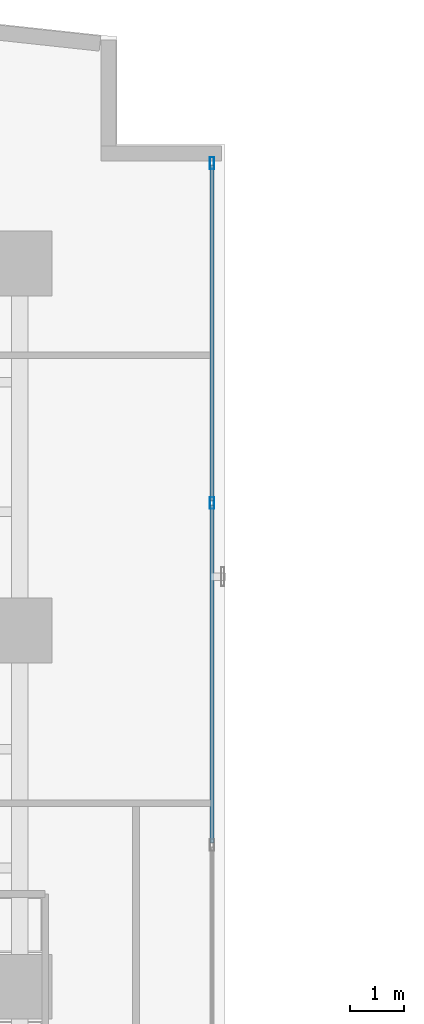
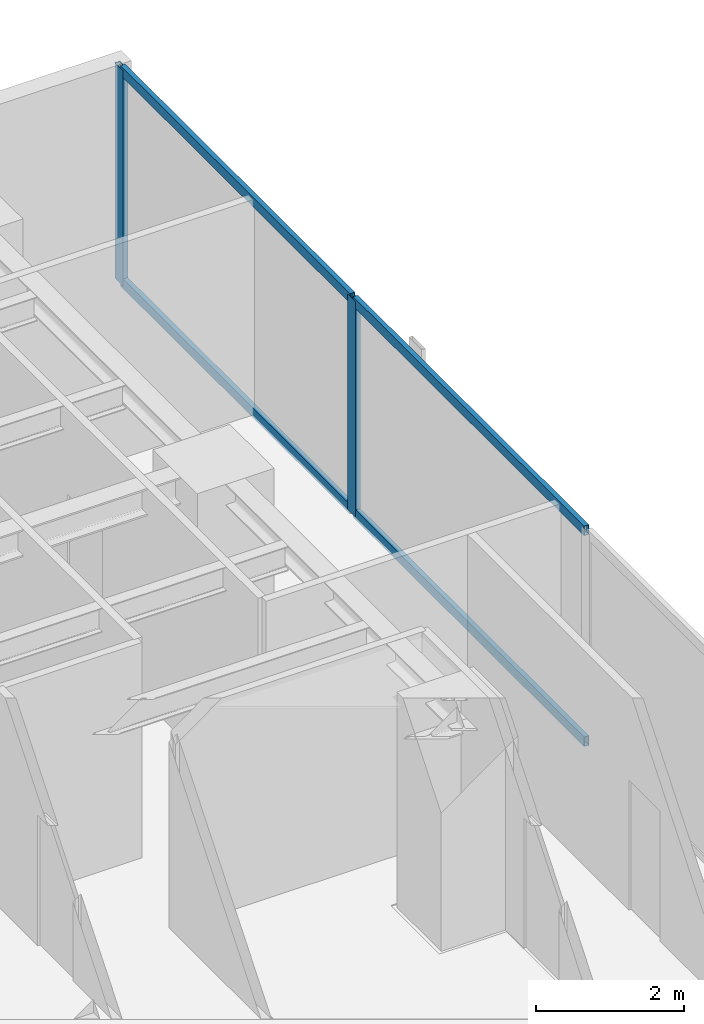
# One storey, part 17 of 24: 6 members, 1 element without a shape of its own.
"""IFC4 building model written with IfcOpenShell, lengths in metres."""

import ifcopenshell
import ifcopenshell.guid

model = None  # the IFC model being written
_history = None  # IfcOwnerHistory: only IFC2X3 demands one
_inside = {}  # id of a spatial element -> (the spatial element, [elements in it])
_under = {}  # id of a project, library or spatial element -> (it, [spatial elements below it])
_declared = {}  # id of a project -> (the project, [libraries it declares])
_typed = {}  # id of a type object -> (the type object, [elements of that type])
_made_of = {}  # id of a material, layer set ... -> (it, [elements and type objects made of it])


def new_model(schema):
    """Start an empty IFC model of exactly this schema.

    Asked for "IFC4X3", IfcOpenShell would pick the latest addendum, in which some entities
    have other attributes; the version numbers below select the first issue.
    IFC2X3 requires an IfcOwnerHistory on every rooted entity: one is made here for all.
    """
    global model, _history
    if schema == "IFC4X3":
        model = ifcopenshell.file(schema_version=(4, 3, 0, 0))
    else:
        model = ifcopenshell.file(schema=schema)
    _inside.clear()
    _under.clear()
    _declared.clear()
    _typed.clear()
    _made_of.clear()
    _history = None
    if model.schema == "IFC2X3":
        org = make("IfcOrganization", Name="unknown")
        user = make(
            "IfcPersonAndOrganization",
            ThePerson=make("IfcPerson", FamilyName="unknown"),
            TheOrganization=org,
        )
        app = make(
            "IfcApplication",
            ApplicationDeveloper=org,
            Version="unknown",
            ApplicationFullName="unknown",
            ApplicationIdentifier="unknown",
        )
        _history = make(
            "IfcOwnerHistory",
            OwningUser=user,
            OwningApplication=app,
            ChangeAction="ADDED",
            CreationDate=0,
        )
    return model


def make(cls, **values):
    """One entity of the class cls with the attributes given. An attribute that is None is left unset."""
    return model.create_entity(
        cls, **{name: value for name, value in values.items() if value is not None}
    )


def rooted(cls, **values):
    """An entity with a GlobalId (a new one), such as an element, a storey or a relation."""
    return make(cls, GlobalId=ifcopenshell.guid.new(), OwnerHistory=_history, **values)


def si_unit(unit_type, name, prefix=None):
    """IfcSIUnit, for example si_unit("LENGTHUNIT", "METRE", prefix="MILLI")."""
    return make("IfcSIUnit", UnitType=unit_type, Prefix=prefix, Name=name)


def assignment(units):
    """IfcUnitAssignment: the units of a project."""
    return None if units is None else make("IfcUnitAssignment", Units=units)


def point(xyz):
    """IfcCartesianPoint."""
    return None if xyz is None else make("IfcCartesianPoint", Coordinates=xyz)


def direction(xyz):
    """IfcDirection."""
    return None if xyz is None else make("IfcDirection", DirectionRatios=xyz)


def frame(location, z_axis=None, x_axis=None):
    """IfcAxis2Placement3D, a coordinate frame: its origin and axes. An axis left out is left unset."""
    return make(
        "IfcAxis2Placement3D",
        Location=point(location),
        Axis=direction(z_axis),
        RefDirection=direction(x_axis),
    )


def frame_2d(location, x_axis=None):
    """IfcAxis2Placement2D, a coordinate frame in the plane: its origin and x axis."""
    return make(
        "IfcAxis2Placement2D", Location=point(location), RefDirection=direction(x_axis)
    )


def origin():
    """The frame at (0, 0, 0) with its axes left unset."""
    return frame((0.0, 0.0, 0.0))


def origin_with_axes():
    """The frame at (0, 0, 0) with the z axis (0, 0, 1) and the x axis (1, 0, 0) written out."""
    return frame((0.0, 0.0, 0.0), z_axis=(0.0, 0.0, 1.0), x_axis=(1.0, 0.0, 0.0))


def origin_2d():
    """The frame at (0, 0) in the plane with its x axis left unset."""
    return frame_2d((0.0, 0.0))


def place(relative_to, where):
    """IfcLocalPlacement: puts the frame where relative to a parent placement (None: the world)."""
    return make(
        "IfcLocalPlacement", PlacementRelTo=relative_to, RelativePlacement=where
    )


def context(
    kind, dimensions, precision=None, world=None, true_north=None, identifier=None
):
    """IfcGeometricRepresentationContext, for example the 3D "Model" context."""
    return make(
        "IfcGeometricRepresentationContext",
        ContextIdentifier=identifier,
        ContextType=kind,
        CoordinateSpaceDimension=dimensions,
        Precision=precision,
        WorldCoordinateSystem=world,
        TrueNorth=true_north,
    )


def subcontext(parent, identifier, kind, view, scale=None):
    """IfcGeometricRepresentationSubContext, for example "Body" below "Model"."""
    return make(
        "IfcGeometricRepresentationSubContext",
        ContextIdentifier=identifier,
        ContextType=kind,
        ParentContext=parent,
        TargetScale=scale,
        TargetView=view,
    )


def project(units=None, contexts=None):
    """IfcProject with its units and contexts."""
    return rooted(
        "IfcProject",
        Name="project",
        RepresentationContexts=contexts,
        UnitsInContext=assignment(units),
    )


def spatial(cls, under=None, at=None, **own):
    """A site, building, storey or space (cls), placed at a placement, below another one or the project."""
    s = rooted(cls, ObjectPlacement=at, **own)
    if under is not None:
        _under.setdefault(under.id(), (under, []))[1].append(s)
    return s


def profile(cls, at=None, kind="AREA", **sizes):
    """A parametric profile (cls). Its sizes go by their IFC names, for example OverallWidth=200.0."""
    return make(cls, ProfileType=kind, Position=at, **sizes)


def hollow_rectangle(**sizes):
    """IfcRectangleHollowProfileDef."""
    return profile("IfcRectangleHollowProfileDef", **sizes)


def extrude(swept, where, along, depth):
    """IfcExtrudedAreaSolid: the profile swept, set in the frame where, extruded along a direction by depth."""
    return make(
        "IfcExtrudedAreaSolid",
        SweptArea=swept,
        Position=where,
        ExtrudedDirection=direction(along),
        Depth=depth,
    )


def shape(context_of_items, identifier, shape_type, items):
    """IfcShapeRepresentation: the items that make up one representation, for example the "Body"."""
    return make(
        "IfcShapeRepresentation",
        ContextOfItems=context_of_items,
        RepresentationIdentifier=identifier,
        RepresentationType=shape_type,
        Items=items,
    )


def source(mapping_origin, context_of_items, identifier, shape_type, items):
    """IfcRepresentationMap: a shape defined once, which mapped items show again and again."""
    return make(
        "IfcRepresentationMap",
        MappingOrigin=mapping_origin,
        MappedRepresentation=shape(context_of_items, identifier, shape_type, items),
    )


def transform(
    local_origin,
    x_axis=None,
    y_axis=None,
    z_axis=None,
    scale=None,
    scale2=None,
    scale3=None,
    uniform=True,
):
    """IfcCartesianTransformationOperator3D, or its non-uniform kind. x_axis, y_axis, z_axis: its Axis1, 2, 3."""
    if uniform:
        return make(
            "IfcCartesianTransformationOperator3D",
            Axis1=direction(x_axis),
            Axis2=direction(y_axis),
            LocalOrigin=point(local_origin),
            Scale=scale,
            Axis3=direction(z_axis),
        )
    return make(
        "IfcCartesianTransformationOperator3DnonUniform",
        Axis1=direction(x_axis),
        Axis2=direction(y_axis),
        LocalOrigin=point(local_origin),
        Scale=scale,
        Axis3=direction(z_axis),
        Scale2=scale2,
        Scale3=scale3,
    )


def mapped(mapping_source, mapping_target):
    """IfcMappedItem: shows the shape of a source again, moved by a transform."""
    return make(
        "IfcMappedItem", MappingSource=mapping_source, MappingTarget=mapping_target
    )


def material(Name=None, Category=None):
    """IfcMaterial."""
    return make("IfcMaterial", Name=Name, Category=Category)


def layer(
    of_material, thickness, ventilated=None, Name=None, Category=None, Priority=None
):
    """IfcMaterialLayer: one layer of a wall or slab, of a material (None: an air gap)."""
    return make(
        "IfcMaterialLayer",
        Material=of_material,
        LayerThickness=thickness,
        IsVentilated=ventilated,
        Name=Name,
        Category=Category,
        Priority=Priority,
    )


def layer_set(layers, Name=None):
    """IfcMaterialLayerSet."""
    return make("IfcMaterialLayerSet", MaterialLayers=layers, LayerSetName=Name)


def material_profile(
    of_material, cross_section, Name=None, Category=None, Priority=None
):
    """IfcMaterialProfile: a cross section and its material."""
    return make(
        "IfcMaterialProfile",
        Name=Name,
        Material=of_material,
        Profile=cross_section,
        Priority=Priority,
        Category=Category,
    )


def profile_set(profiles, Name=None, composite=None):
    """IfcMaterialProfileSet."""
    return make(
        "IfcMaterialProfileSet",
        Name=Name,
        MaterialProfiles=profiles,
        CompositeProfile=composite,
    )


def made_of(thing, what):
    """Note that an element or type object is made of a material, layer set ...; save() writes the relation."""
    if what is not None:
        _made_of.setdefault(what.id(), (what, []))[1].append(thing)
    return thing


def type_object(cls, material=None, **own):
    """A type object (cls), such as IfcWallType, which elements share."""
    return made_of(rooted(cls, **own), material)


def element(
    cls,
    number,
    at=None,
    inside=None,
    cuts=None,
    type_object=None,
    material=None,
    context=None,
    identifier="Body",
    shape_type=None,
    held_by="IfcProductDefinitionShape",
    body=None,
    shapes=None,
    **own,
):
    """One element of the class cls, such as IfcWall. Its Tag is "e" and its number.

    at: its placement. inside: the storey or other place that contains it. cuts: it is an
    opening in that element (IfcRelVoidsElement). A single representation is given by context,
    identifier, shape_type and body (its items); several are given by shapes. held_by: the class
    of the entity that holds the representations. save() writes the other relations.
    """
    e = rooted(cls, Tag="e%d" % number, ObjectPlacement=at, **own)
    if body is not None:
        shapes = [shape(context, identifier, shape_type, body)]
    if shapes is not None:
        e.Representation = make(held_by, Representations=shapes)
    if inside is not None:
        _inside.setdefault(inside.id(), (inside, []))[1].append(e)
    if cuts is not None:
        rooted(
            "IfcRelVoidsElement", RelatingBuildingElement=cuts, RelatedOpeningElement=e
        )
    if type_object is not None:
        _typed.setdefault(type_object.id(), (type_object, []))[1].append(e)
    return made_of(e, material)


def aggregate(whole, parts):
    """IfcRelAggregates: a whole, such as a stair, and the parts it consists of."""
    return rooted("IfcRelAggregates", RelatingObject=whole, RelatedObjects=parts)


def save(model, path):
    """Write the relations noted so far, then the file.

    IfcRelAggregates (storeys below a building ...), IfcRelContainedInSpatialStructure (elements
    in a storey), IfcRelDefinesByType, IfcRelAssociatesMaterial and IfcRelDeclares: one each for
    every whole, place, type object, material and project.
    """
    for whole, parts in _under.values():
        aggregate(whole, parts)
    for where, things in _inside.values():
        rooted(
            "IfcRelContainedInSpatialStructure",
            RelatedElements=things,
            RelatingStructure=where,
        )
    for kind, things in _typed.values():
        rooted("IfcRelDefinesByType", RelatedObjects=things, RelatingType=kind)
    for what, things in _made_of.values():
        rooted("IfcRelAssociatesMaterial", RelatedObjects=things, RelatingMaterial=what)
    for by, libraries in _declared.values():
        rooted("IfcRelDeclares", RelatingContext=by, RelatedDefinitions=libraries)
    model.write(path)


model = new_model("IFC4")

# Units and contexts
model_context = context("Model", 3, precision=1e-05, world=origin(), true_north=direction((0.0, 1.0)))
body_context = subcontext(model_context, "Body", "Model", "MODEL_VIEW")
ifc_project = project(units=[si_unit("LENGTHUNIT", "METRE"), si_unit("AREAUNIT", "SQUARE_METRE"), si_unit("VOLUMEUNIT", "CUBIC_METRE"), si_unit("PLANEANGLEUNIT", "RADIAN"), si_unit("MASSUNIT", "GRAM", prefix="KILO")], contexts=[model_context])

# Site, building, storey
site_placement = place(None, origin())
site = spatial("IfcSite", under=ifc_project, at=site_placement, CompositionType="ELEMENT")
building_placement = place(site_placement, origin())
building = spatial("IfcBuilding", under=site, at=building_placement, Name="Kolvaren Waterfront Exchange", CompositionType="ELEMENT")
storey_placement = place(building_placement, frame((0.0, 0.0, 169.0)))
storey = spatial("IfcBuildingStorey", under=building, at=storey_placement, Name="L43", CompositionType="ELEMENT", Elevation=169.0)

# Curtain wall, members
ifc_material_1 = material(Name="Anodised bronze aluminium 6063-T6", Category="aluminium")
ifc_layer = layer(ifc_material_1, 0.219970703125, Name="Anodised bronze aluminium 6063-T6")
ifc_layer_set = layer_set([ifc_layer], Name="Anodised bronze aluminium 6063-T6")
curtain_wall_type = type_object("IfcCurtainWallType", Name="ARC-CW-SYS1", PredefinedType="USERDEFINED", material=ifc_layer_set)
curtain_wall_placement = place(storey_placement, origin())
curtain_wall = element("IfcCurtainWall", 1, at=curtain_wall_placement, inside=storey, type_object=curtain_wall_type, Name="L43 stick curtain wall CW1 (CW-L43-NE)", ObjectType="STICK CURTAIN WALL", PredefinedType="USERDEFINED")
ifc_material_2 = material(Name="Anodised aluminium 6063-T6", Category="aluminium")
ifc_material_profile_1 = material_profile(ifc_material_2, hollow_rectangle(XDim=0.080078125, YDim=0.219970703125, WallThickness=0.0048828125, at=origin_2d()), Name="ALU-MUL-220x80x5")
ifc_profile_set_1 = profile_set([ifc_material_profile_1], Name="Anodised aluminium 6063-T6")
member_type_1 = type_object("IfcMemberType", Name="ARC-CWM-220", PredefinedType="MULLION", material=ifc_profile_set_1)
shared_shape_1 = source(origin_with_axes(), body_context, "Body", "SweptSolid", [
    extrude(hollow_rectangle(XDim=0.080078125, YDim=0.219970703125, WallThickness=0.0048828125, at=origin_2d()), origin(), (0.0, 0.0, 1.0), 3.56005859375),
])
member_1_placement = place(storey_placement, frame((22.360107421875, 40.163330078125, 0.0), z_axis=(0.0, 0.0, 1.0), x_axis=(-1.0, 0.0, 0.0)))
member_1 = element("IfcMember", 2, at=member_1_placement, type_object=member_type_1, Name="CW1 mullion 3", PredefinedType="MULLION", context=body_context, shape_type="MappedRepresentation", body=[
    mapped(shared_shape_1, transform((0.0, 0.0, 0.0), x_axis=(1.0, 0.0, 0.0), y_axis=(0.0, 1.0, 0.0), z_axis=(0.0, 0.0, 1.0), scale=1.0)),
])
member_2_placement = place(storey_placement, frame((22.360107421875, 46.4599609375, 0.0), z_axis=(0.0, 0.0, 1.0), x_axis=(-1.0, 0.0, 0.0)))
member_2 = element("IfcMember", 3, at=member_2_placement, type_object=member_type_1, Name="CW1 mullion 4", PredefinedType="MULLION", context=body_context, shape_type="MappedRepresentation", body=[
    mapped(shared_shape_1, transform((0.0, 0.0, 0.0), x_axis=(1.0, 0.0, 0.0), y_axis=(0.0, 1.0, 0.0), z_axis=(0.0, 0.0, 1.0), scale=1.0)),
])
ifc_material_profile_2 = material_profile(ifc_material_2, hollow_rectangle(XDim=0.074951171875, YDim=0.159912109375, WallThickness=0.00439453125, at=origin_2d()), Name="ALU-TRN-160x75x4.5")
ifc_profile_set_2 = profile_set([ifc_material_profile_2], Name="Anodised aluminium 6063-T6")
member_type_2 = type_object("IfcMemberType", Name="ARC-CWT-160", PredefinedType="USERDEFINED", material=ifc_profile_set_2)
shared_shape_2 = source(origin_with_axes(), body_context, "Body", "SweptSolid", [
    extrude(hollow_rectangle(XDim=0.074951171875, YDim=0.159912109375, WallThickness=0.00439453125, at=origin_2d()), origin(), (0.0, 0.0, 1.0), 6.216552734375),
])
member_3_placement = place(storey_placement, frame((22.360107421875, 40.203369140625, 0.03759765625), z_axis=(0.0, 1.0, 0.0), x_axis=(-1.0, 0.0, 0.0)))
member_3 = element("IfcMember", 4, at=member_3_placement, type_object=member_type_2, Name="CW1 transom 3.1", ObjectType="TRANSOM", PredefinedType="USERDEFINED", context=body_context, shape_type="MappedRepresentation", body=[
    mapped(shared_shape_2, transform((0.0, 0.0, 0.0), x_axis=(1.0, 0.0, 0.0), y_axis=(0.0, 1.0, 0.0), z_axis=(0.0, 0.0, 1.0), scale=1.0)),
])
member_4_placement = place(storey_placement, frame((22.360107421875, 40.203369140625, 3.5224609375), z_axis=(0.0, 1.0, 0.0), x_axis=(-1.0, 0.0, 0.0)))
member_4 = element("IfcMember", 5, at=member_4_placement, type_object=member_type_2, Name="CW1 transom 3.2", ObjectType="TRANSOM", PredefinedType="USERDEFINED", context=body_context, shape_type="MappedRepresentation", body=[
    mapped(shared_shape_2, transform((0.0, 0.0, 0.0), x_axis=(1.0, 0.0, 0.0), y_axis=(0.0, 1.0, 0.0), z_axis=(0.0, 0.0, 1.0), scale=1.0)),
])
shared_shape_3 = source(origin_with_axes(), body_context, "Body", "SweptSolid", [
    extrude(hollow_rectangle(XDim=0.074951171875, YDim=0.159912109375, WallThickness=0.00439453125, at=origin_2d()), origin(), (0.0, 0.0, 1.0), 6.256591796875),
])
member_5_placement = place(storey_placement, frame((22.360107421875, 33.86669921875, 0.03759765625), z_axis=(0.0, 1.0, 0.0), x_axis=(-1.0, 0.0, 0.0)))
member_5 = element("IfcMember", 6, at=member_5_placement, type_object=member_type_2, Name="CW1 transom 2.1", ObjectType="TRANSOM", PredefinedType="USERDEFINED", context=body_context, shape_type="MappedRepresentation", body=[
    mapped(shared_shape_3, transform((0.0, 0.0, 0.0), x_axis=(1.0, 0.0, 0.0), y_axis=(0.0, 1.0, 0.0), z_axis=(0.0, 0.0, 1.0), scale=1.0)),
])
member_6_placement = place(storey_placement, frame((22.360107421875, 33.86669921875, 3.5224609375), z_axis=(0.0, 1.0, 0.0), x_axis=(-1.0, 0.0, 0.0)))
member_6 = element("IfcMember", 7, at=member_6_placement, type_object=member_type_2, Name="CW1 transom 2.2", ObjectType="TRANSOM", PredefinedType="USERDEFINED", context=body_context, shape_type="MappedRepresentation", body=[
    mapped(shared_shape_3, transform((0.0, 0.0, 0.0), x_axis=(1.0, 0.0, 0.0), y_axis=(0.0, 1.0, 0.0), z_axis=(0.0, 0.0, 1.0), scale=1.0)),
])
aggregate(curtain_wall, [member_1, member_2, member_5, member_6, member_3, member_4])

save(model, "model.ifc")
